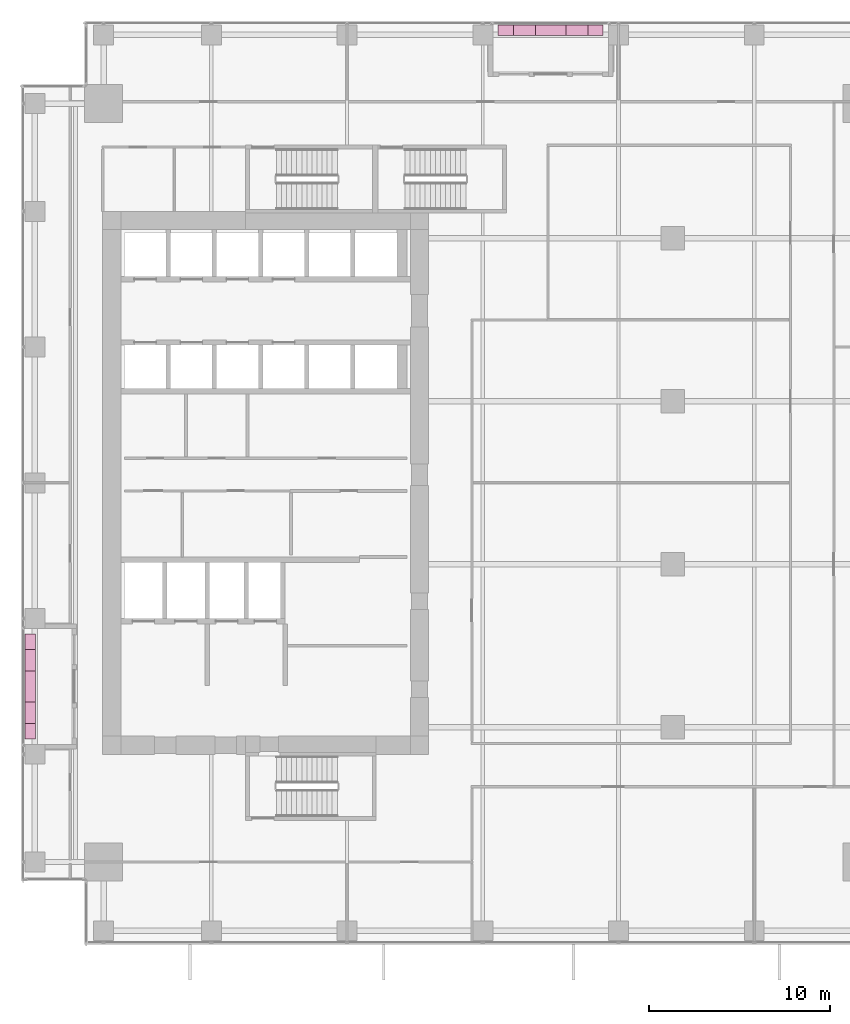
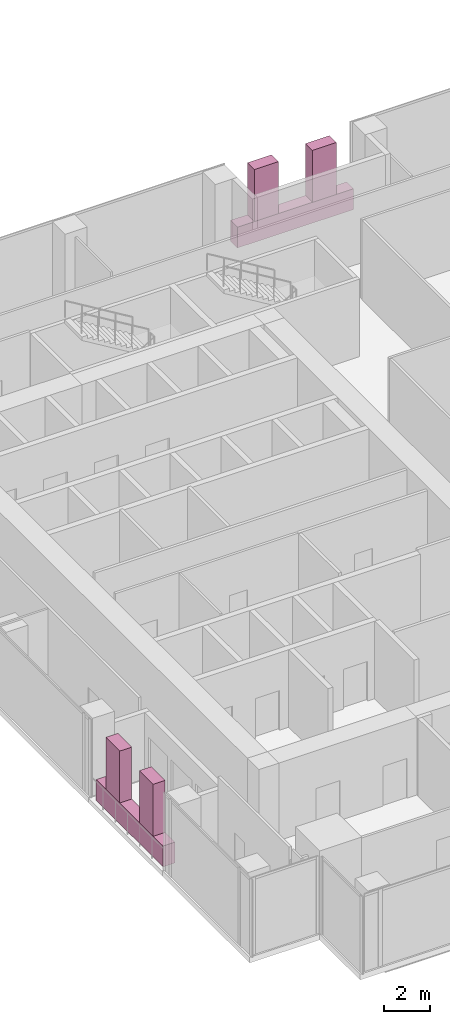
# One storey, part 34 of 34: 6 furnishings.
"""IFC4 building model written with IfcOpenShell, lengths in metres."""

from ifc_helpers import new_model, si_unit, direction, frame, origin, origin_2d, place, context, subcontext, project, spatial, rectangle, extrude, source, transform, mapped, material, type_object, element, save


model = new_model("IFC4")

# Units and contexts
model_context = context("Model", 3, precision=1e-05, world=origin(), true_north=direction((0.0, 1.0)))
body_context = subcontext(model_context, "Body", "Model", "MODEL_VIEW")
ifc_project = project(units=[si_unit("LENGTHUNIT", "METRE"), si_unit("AREAUNIT", "SQUARE_METRE"), si_unit("VOLUMEUNIT", "CUBIC_METRE"), si_unit("PLANEANGLEUNIT", "RADIAN"), si_unit("MASSUNIT", "GRAM", prefix="KILO")], contexts=[model_context])

# Site, building, storey
site_placement = place(None, origin())
site = spatial("IfcSite", under=ifc_project, at=site_placement, CompositionType="ELEMENT")
building_placement = place(site_placement, origin())
building = spatial("IfcBuilding", under=site, at=building_placement, Name="Khomas Fold Tower", CompositionType="ELEMENT")
storey_placement = place(building_placement, frame((0.0, 0.0, 123.5)))
storey = spatial("IfcBuildingStorey", under=building, at=storey_placement, Name="L26", CompositionType="ELEMENT", Elevation=123.5)

# Furnishings
ifc_material_1 = material(Name="Planting")
furnishing_element_type_1 = type_object("IfcFurnishingElementType", Name="BL-Tree Karee", material=ifc_material_1)
shared_shape_1 = source(origin(), body_context, "Body", "SweptSolid", [
    extrude(rectangle(XDim=1.199951171875, YDim=0.60009765625, at=origin_2d()), origin(), (0.0, 0.0, 1.0), 2.7451171875),
])
furnishing_1_placement = place(storey_placement, frame((29.300048828125, 52.0, 1.054931640625), z_axis=(0.0, 0.0, 1.0), x_axis=(1.0, 0.0, 0.0)))
element("IfcFurnishingElement", 1, at=furnishing_1_placement, inside=storey, type_object=furnishing_element_type_1, Name="PLANTER (TREE) Karee BAL-L26-N3-1", context=body_context, shape_type="MappedRepresentation", body=[
    mapped(shared_shape_1, transform((0.0, 0.0, 0.0))),
])
ifc_material_2 = material(Name="Planting")
furnishing_element_type_2 = type_object("IfcFurnishingElementType", Name="BL-Tree Wild olive", material=ifc_material_2)
furnishing_2_placement = place(storey_placement, frame((32.199951171875, 52.0, 1.054931640625), z_axis=(0.0, 0.0, 1.0), x_axis=(1.0, 0.0, 0.0)))
element("IfcFurnishingElement", 2, at=furnishing_2_placement, inside=storey, type_object=furnishing_element_type_2, Name="PLANTER (TREE) Wild olive BAL-L26-N3-2", context=body_context, shape_type="MappedRepresentation", body=[
    mapped(shared_shape_1, transform((0.0, 0.0, 0.0))),
])
furnishing_3_placement = place(storey_placement, frame((2.0, 14.300048828125, 1.054931640625), z_axis=(0.0, 0.0, 1.0), x_axis=(0.0, 1.0, 0.0)))
element("IfcFurnishingElement", 3, at=furnishing_3_placement, inside=storey, type_object=furnishing_element_type_1, Name="PLANTER (TREE) Karee BAL-L26-W1-1", context=body_context, shape_type="MappedRepresentation", body=[
    mapped(shared_shape_1, transform((0.0, 0.0, 0.0))),
])
furnishing_4_placement = place(storey_placement, frame((2.0, 17.199951171875, 1.054931640625), z_axis=(0.0, 0.0, 1.0), x_axis=(0.0, 1.0, 0.0)))
element("IfcFurnishingElement", 4, at=furnishing_4_placement, inside=storey, type_object=furnishing_element_type_2, Name="PLANTER (TREE) Wild olive BAL-L26-W1-2", context=body_context, shape_type="MappedRepresentation", body=[
    mapped(shared_shape_1, transform((0.0, 0.0, 0.0))),
])
ifc_material_3 = material(Name="Precast concrete C40/50", Category="concrete")
furnishing_element_type_3 = type_object("IfcFurnishingElementType", Name="BL-Structural planter box", material=ifc_material_3)
shared_shape_2 = source(origin(), body_context, "Body", "SweptSolid", [
    extrude(rectangle(XDim=5.800048828125, YDim=0.60009765625, at=origin_2d()), origin(), (0.0, 0.0, 1.0), 1.10009765625),
])
for number, where, z_axis, x_axis, name in (
    (5, (30.75, 52.0, -0.045166015625), (0.0, 0.0, 1.0), (1.0, 0.0, 0.0), "PLANTER BAL-L26-N3"),
    (6, (2.0, 15.75, -0.045166015625), (0.0, 0.0, 1.0), (0.0, 1.0, 0.0), "PLANTER BAL-L26-W1"),
):
    element("IfcFurnishingElement", number, at=place(storey_placement, frame(where, z_axis=z_axis, x_axis=x_axis)), inside=storey, type_object=furnishing_element_type_3, Name=name, context=body_context, shape_type="MappedRepresentation", body=[
        mapped(shared_shape_2, transform((0.0, 0.0, 0.0))),
    ])

save(model, "model.ifc")
